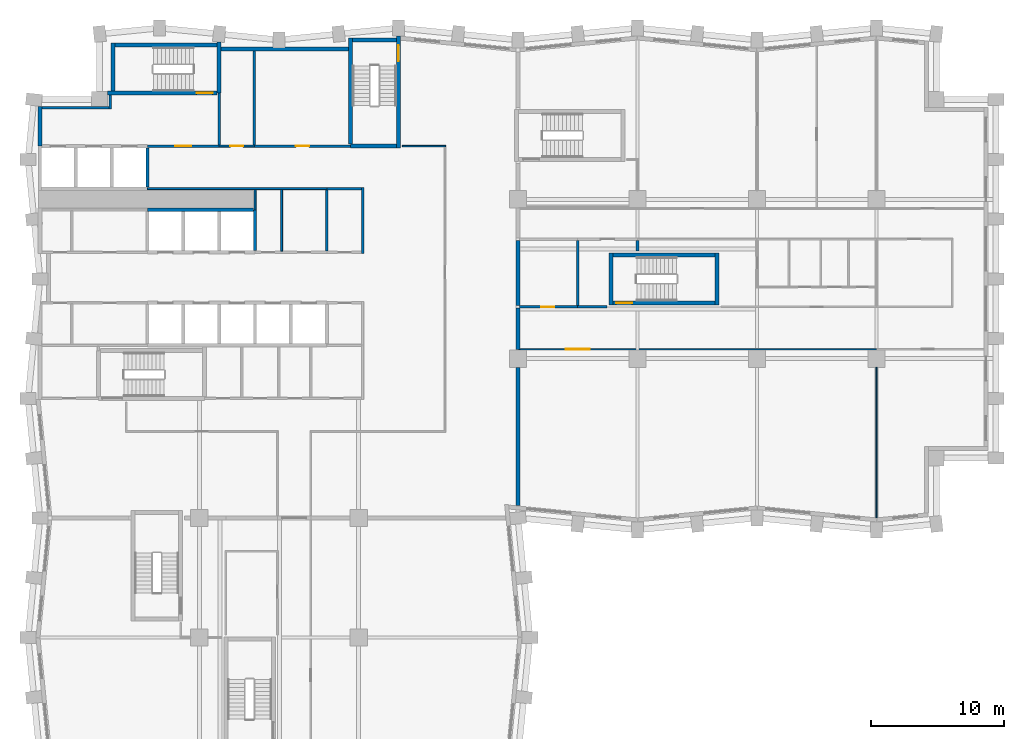
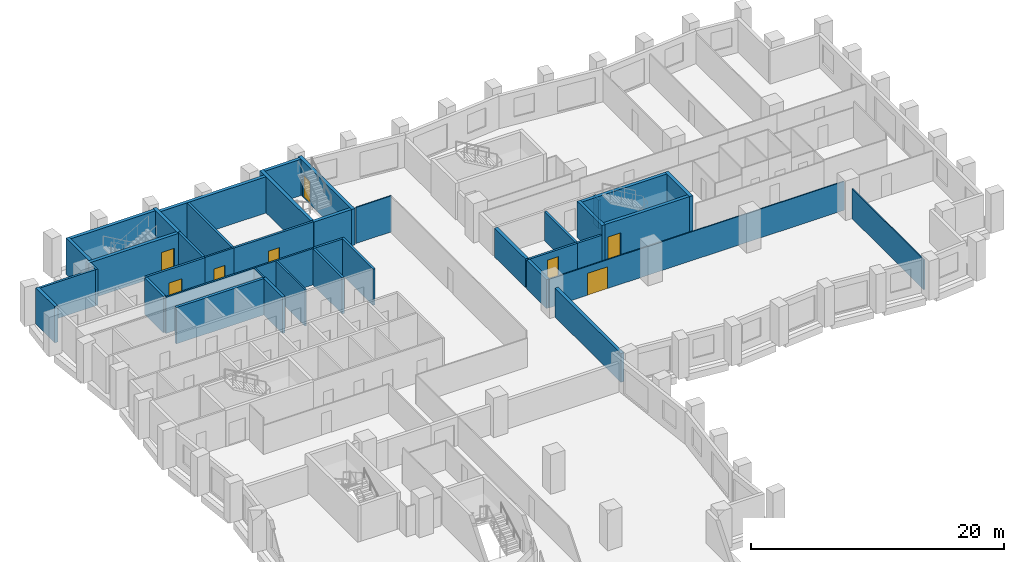
# One storey, part 6 of 11: 40 walls, 8 doors, 8 openings.
"""IFC4 building model written with IfcOpenShell, lengths in metres."""

from ifc_helpers import new_model, si_unit, direction, frame, frame_2d, origin, place, context, subcontext, project, spatial, rectangle, extrude, material, layer, layer_set, type_object, element, fill, save


model = new_model("IFC4")

# Units and contexts
model_context = context("Model", 3, precision=1e-05, world=origin(), true_north=direction((0.0, 1.0)))
body_context = subcontext(model_context, "Body", "Model", "MODEL_VIEW")
ifc_project = project(units=[si_unit("LENGTHUNIT", "METRE"), si_unit("AREAUNIT", "SQUARE_METRE"), si_unit("VOLUMEUNIT", "CUBIC_METRE"), si_unit("PLANEANGLEUNIT", "RADIAN"), si_unit("MASSUNIT", "GRAM", prefix="KILO")], contexts=[model_context])

# Site, building, storey
site_placement = place(None, origin())
site = spatial("IfcSite", under=ifc_project, at=site_placement, CompositionType="ELEMENT")
building_placement = place(site_placement, origin())
building = spatial("IfcBuilding", under=site, at=building_placement, Name="Brondeck Convention Tower", CompositionType="ELEMENT")
storey_placement = place(building_placement, frame((0.0, 0.0, 111.300048828125)))
storey = spatial("IfcBuildingStorey", under=building, at=storey_placement, Name="L26", CompositionType="ELEMENT", Elevation=111.300048828125)

# Walls
ifc_material_1 = material(Name="Concrete compartment wall C30/37", Category="concrete")
ifc_layer_1 = layer(ifc_material_1, 0.300048828125)
ifc_layer_set_1 = layer_set([ifc_layer_1], Name="Compartment wall 300")
wall_type_1 = type_object("IfcWallType", Name="Compartment wall 300", PredefinedType="PARTITIONING", material=ifc_layer_set_1)
wall_1_placement = place(storey_placement, frame((36.0, 27.924560546875, 0.0), z_axis=(0.0, 0.0, 1.0), x_axis=(0.0, 1.0, 0.0)))
element("IfcWall", 1, at=wall_1_placement, inside=storey, type_object=wall_type_1, Name="FLR-L26-W019", PredefinedType="PARTITIONING", context=body_context, shape_type="SweptSolid", body=[
    extrude(rectangle(XDim=10.42041015625, YDim=0.300048828125, at=frame_2d((5.210205078125, 0.0))), origin(), (0.0, 0.0, 1.0), 2.780029296875),
])
wall_2_placement = place(storey_placement, frame((36.0, 39.669921875, 0.0), z_axis=(0.0, 0.0, 1.0), x_axis=(0.0, 1.0, 0.0)))
element("IfcWall", 2, at=wall_2_placement, inside=storey, type_object=wall_type_1, Name="FLR-L26-W027", PredefinedType="PARTITIONING", context=body_context, shape_type="SweptSolid", body=[
    extrude(rectangle(XDim=3.130126953125, YDim=0.300048828125, at=frame_2d((1.56494140625, 0.0))), origin(), (0.0, 0.0, 1.0), 2.780029296875),
])
wall_3_placement = place(storey_placement, frame((36.0, 43.0, 0.0), z_axis=(0.0, 0.0, 1.0), x_axis=(0.0, 1.0, 0.0)))
element("IfcWall", 3, at=wall_3_placement, inside=storey, type_object=wall_type_1, Name="FLR-L26-W033", PredefinedType="PARTITIONING", context=body_context, shape_type="SweptSolid", body=[
    extrude(rectangle(XDim=4.89990234375, YDim=0.300048828125, at=frame_2d((2.449951171875, 0.0))), origin(), (0.0, 0.0, 1.0), 2.780029296875),
])
ifc_material_2 = material(Name="Concrete C70/85", Category="concrete")
ifc_layer_2 = layer(ifc_material_2, 0.199951171875)
ifc_layer_set_2 = layer_set([ifc_layer_2], Name="Core beam-seat wall 200 Concrete C70/85")
wall_type_2 = type_object("IfcWallType", Name="Core beam-seat wall 200 Concrete C70/85", PredefinedType="SHEAR", material=ifc_layer_set_2)
wall_4_placement = place(storey_placement, frame((24.300048828125, 46.89990234375, 0.0), z_axis=(0.0, 0.0, 1.0), x_axis=(0.0, 1.0, 0.0)))
element("IfcWall", 4, at=wall_4_placement, inside=storey, type_object=wall_type_2, Name="L26 core wall", PredefinedType="SHEAR", context=body_context, shape_type="SweptSolid", body=[
    extrude(rectangle(XDim=5.0, YDim=0.199951171875, at=frame_2d((2.5, 0.0))), origin(), (0.0, 0.0, 1.0), 3.5),
])
ifc_layer_3 = layer(ifc_material_2, 0.300048828125)
ifc_layer_set_3 = layer_set([ifc_layer_3], Name="Core outer wall 300 Concrete C70/85")
wall_type_3 = type_object("IfcWallType", Name="Core outer wall 300 Concrete C70/85", PredefinedType="SHEAR", material=ifc_layer_set_3)
wall_5_placement = place(storey_placement, frame((13.64990234375, 62.300048828125, 0.0), z_axis=(0.0, 0.0, 1.0), x_axis=(1.0, 0.0, 0.0)))
element("IfcWall", 5, at=wall_5_placement, inside=storey, type_object=wall_type_3, Name="L26 core wall", PredefinedType="SHEAR", context=body_context, shape_type="SweptSolid", body=[
    extrude(rectangle(XDim=9.60009765625, YDim=0.300048828125, at=frame_2d((4.800048828125, 0.0))), origin(), (0.0, 0.0, 1.0), 3.5),
])
wall_6_placement = place(storey_placement, frame((0.0, 55.0, 0.0), z_axis=(0.0, 0.0, 1.0), x_axis=(0.0, 1.0, 0.0)))
element("IfcWall", 6, at=wall_6_placement, inside=storey, type_object=wall_type_3, Name="L26 core wall", PredefinedType="SHEAR", context=body_context, shape_type="SweptSolid", body=[
    extrude(rectangle(XDim=3.0, YDim=0.300048828125, at=frame_2d((1.5, 0.0))), origin(), (0.0, 0.0, 1.0), 3.5),
])
ifc_material_3 = material(Name="Fire-rated gypsum board partition")
ifc_layer_4 = layer(ifc_material_3, 0.14990234375)
ifc_layer_set_4 = layer_set([ifc_layer_4], Name="Core partition 150 EI 60")
wall_type_4 = type_object("IfcWallType", Name="Core partition 150 EI 60", PredefinedType="PARTITIONING", material=ifc_layer_set_4)
wall_7_placement = place(storey_placement, frame((8.10009765625, 51.800048828125, 0.0), z_axis=(0.0, 0.0, 1.0), x_axis=(1.0, 0.0, 0.0)))
element("IfcWall", 7, at=wall_7_placement, inside=storey, type_object=wall_type_4, Name="L26 core wall", PredefinedType="PARTITIONING", context=body_context, shape_type="SweptSolid", body=[
    extrude(rectangle(XDim=13.5, YDim=0.14990234375, at=frame_2d((6.75, 0.0))), origin(), (0.0, 0.0, 1.0), 3.5),
])

# Wall, opening, door
wall_8_placement = place(storey_placement, frame((13.5, 55.0, 0.0), z_axis=(0.0, 0.0, 1.0), x_axis=(1.0, 0.0, 0.0)))
wall_8 = element("IfcWall", 8, at=wall_8_placement, inside=storey, type_object=wall_type_4, Name="L26 core wall", PredefinedType="PARTITIONING", context=body_context, shape_type="SweptSolid", body=[
    extrude(rectangle(XDim=2.64990234375, YDim=0.14990234375, at=frame_2d((1.324951171875, 0.0))), origin(), (0.0, 0.0, 1.0), 3.5),
])
opening_1_placement = place(wall_8_placement, frame((0.824951171875, 0.0, 0.0)))
opening_1 = element("IfcOpeningElement", 9, at=opening_1_placement, cuts=wall_8, Name="Opening C16-15", PredefinedType="OPENING", context=body_context, shape_type="SweptSolid", body=[
    extrude(rectangle(XDim=1.0, YDim=2.10009765625, at=frame_2d((0.5, 1.050048828125))), frame((0.0, 0.0849609375, 0.0), z_axis=(0.0, -1.0, 0.0), x_axis=(1.0, 0.0, 0.0)), (0.0, 0.0, 1.0), 0.169921875),
])
ifc_material_4 = material(Name="Steel fire door", Category="steel")
door_type_1 = type_object("IfcDoorType", Name="Room door 1000x2100 EI 60", OperationType="NOTDEFINED", PredefinedType="DOOR", material=ifc_material_4)
door_1_placement = place(opening_1_placement, origin())
door_1 = element("IfcDoor", 10, at=door_1_placement, inside=storey, type_object=door_type_1, Name="L26 Room door NE-1", OperationType="SINGLE_SWING_LEFT", OverallHeight=2.10009765625, OverallWidth=1.0, PredefinedType="DOOR", context=body_context, shape_type="SweptSolid", body=[
    extrude(rectangle(XDim=1.0, YDim=2.10009765625, at=frame_2d((0.5, 1.050048828125))), frame((0.0, 0.02490234375, 0.0), z_axis=(0.0, -1.0, 0.0), x_axis=(1.0, 0.0, 0.0)), (0.0, 0.0, 1.0), 0.050048828125),
])
fill(opening_1, door_1)

# Walls
wall_9_placement = place(storey_placement, frame((16.199951171875, 50.199951171875, 0.0), z_axis=(0.0, 0.0, 1.0), x_axis=(0.0, 1.0, 0.0)))
element("IfcWall", 11, at=wall_9_placement, inside=storey, type_object=wall_type_4, Name="L26 core wall", PredefinedType="PARTITIONING", context=body_context, shape_type="SweptSolid", body=[
    extrude(rectangle(XDim=1.525146484375, YDim=0.14990234375, at=frame_2d((0.7626953125, 0.0))), origin(), (0.0, 0.0, 1.0), 3.5),
])
wall_10_placement = place(storey_placement, frame((18.199951171875, 47.10009765625, 0.0), z_axis=(0.0, 0.0, 1.0), x_axis=(0.0, 1.0, 0.0)))
element("IfcWall", 12, at=wall_10_placement, inside=storey, type_object=wall_type_4, Name="L26 core wall", PredefinedType="PARTITIONING", context=body_context, shape_type="SweptSolid", body=[
    extrude(rectangle(XDim=4.625, YDim=0.14990234375, at=frame_2d((2.3125, 0.0))), origin(), (0.0, 0.0, 1.0), 3.5),
])

# Wall, opening, door
ifc_layer_5 = layer(ifc_material_3, 0.199951171875)
ifc_layer_set_5 = layer_set([ifc_layer_5], Name="Firefighting lobby wall 200 EI 120")
wall_type_5 = type_object("IfcWallType", Name="Firefighting lobby wall 200 EI 120", PredefinedType="PARTITIONING", material=ifc_layer_set_5)
wall_11_placement = place(storey_placement, frame((8.10009765625, 55.0, 0.0), z_axis=(0.0, 0.0, 1.0), x_axis=(1.0, 0.0, 0.0)))
wall_11 = element("IfcWall", 13, at=wall_11_placement, inside=storey, type_object=wall_type_5, Name="L26 core wall", PredefinedType="PARTITIONING", context=body_context, shape_type="SweptSolid", body=[
    extrude(rectangle(XDim=5.39990234375, YDim=0.199951171875, at=frame_2d((2.699951171875, 0.0))), origin(), (0.0, 0.0, 1.0), 3.5),
])
opening_2_placement = place(wall_11_placement, frame((2.10009765625, 0.0, 0.0)))
opening_2 = element("IfcOpeningElement", 14, at=opening_2_placement, cuts=wall_11, Name="Opening C16-01", PredefinedType="OPENING", context=body_context, shape_type="SweptSolid", body=[
    extrude(rectangle(XDim=1.199951171875, YDim=2.199951171875, at=frame_2d((0.60009765625, 1.10009765625))), frame((0.0, 0.10986328125, 0.0), z_axis=(0.0, -1.0, 0.0), x_axis=(1.0, 0.0, 0.0)), (0.0, 0.0, 1.0), 0.219970703125),
])
door_type_2 = type_object("IfcDoorType", Name="Firefighting lobby door 1200x2200 EI 120", OperationType="NOTDEFINED", PredefinedType="DOOR", material=ifc_material_4)
door_2_placement = place(opening_2_placement, origin())
door_2 = element("IfcDoor", 15, at=door_2_placement, inside=storey, type_object=door_type_2, Name="L26 Firefighting lobby door FFL-1", OperationType="SINGLE_SWING_RIGHT", OverallHeight=2.199951171875, OverallWidth=1.199951171875, PredefinedType="DOOR", context=body_context, shape_type="SweptSolid", body=[
    extrude(rectangle(XDim=1.199951171875, YDim=2.199951171875, at=frame_2d((0.60009765625, 1.10009765625))), frame((0.0, 0.02490234375, 0.0), z_axis=(0.0, -1.0, 0.0), x_axis=(1.0, 0.0, 0.0)), (0.0, 0.0, 1.0), 0.050048828125),
])
fill(opening_2, door_2)

# Walls
wall_12_placement = place(storey_placement, frame((0.14990234375, 57.89990234375, 0.0), z_axis=(0.0, 0.0, 1.0), x_axis=(1.0, 0.0, 0.0)))
element("IfcWall", 16, at=wall_12_placement, inside=storey, type_object=wall_type_5, Name="L26 core wall", PredefinedType="PARTITIONING", context=body_context, shape_type="SweptSolid", body=[
    extrude(rectangle(XDim=5.050048828125, YDim=0.199951171875, at=frame_2d((2.52490234375, 0.0))), origin(), (0.0, 0.0, 1.0), 3.5),
])
wall_13_placement = place(storey_placement, frame((5.300048828125, 57.800048828125, 0.0), z_axis=(0.0, 0.0, 1.0), x_axis=(0.0, 1.0, 0.0)))
element("IfcWall", 17, at=wall_13_placement, inside=storey, type_object=wall_type_5, Name="L26 core wall", PredefinedType="PARTITIONING", context=body_context, shape_type="SweptSolid", body=[
    extrude(rectangle(XDim=1.050048828125, YDim=0.199951171875, at=frame_2d((0.52490234375, 0.0))), origin(), (0.0, 0.0, 1.0), 3.5),
])
wall_14_placement = place(storey_placement, frame((13.5, 55.10009765625, 0.0), z_axis=(0.0, 0.0, 1.0), x_axis=(0.0, 1.0, 0.0)))
element("IfcWall", 18, at=wall_14_placement, inside=storey, type_object=wall_type_5, Name="L26 core wall", PredefinedType="PARTITIONING", context=body_context, shape_type="SweptSolid", body=[
    extrude(rectangle(XDim=3.89990234375, YDim=0.199951171875, at=frame_2d((1.949951171875, 0.0))), origin(), (0.0, 0.0, 1.0), 3.5),
])
ifc_layer_6 = layer(ifc_material_2, 0.25)
ifc_layer_set_6 = layer_set([ifc_layer_6], Name="Lift shaft wall 250 Concrete C70/85")
wall_type_6 = type_object("IfcWallType", Name="Lift shaft wall 250 Concrete C70/85", PredefinedType="SHEAR", material=ifc_layer_set_6)
wall_15_placement = place(storey_placement, frame((8.10009765625, 50.199951171875, 0.0), z_axis=(0.0, 0.0, 1.0), x_axis=(1.0, 0.0, 0.0)))
element("IfcWall", 19, at=wall_15_placement, inside=storey, type_object=wall_type_6, Name="L26 core wall", PredefinedType="SHEAR", context=body_context, shape_type="SweptSolid", body=[
    extrude(rectangle(XDim=7.974853515625, YDim=0.25, at=frame_2d((3.9873046875, 0.0))), origin(), (0.0, 0.0, 1.0), 3.5),
])
wall_16_placement = place(storey_placement, frame((8.10009765625, 51.925048828125, 0.0), z_axis=(0.0, 0.0, 1.0), x_axis=(0.0, 1.0, 0.0)))
element("IfcWall", 20, at=wall_16_placement, inside=storey, type_object=wall_type_6, Name="L26 core wall", PredefinedType="SHEAR", context=body_context, shape_type="SweptSolid", body=[
    extrude(rectangle(XDim=2.949951171875, YDim=0.25, at=frame_2d((1.47509765625, 0.0))), origin(), (0.0, 0.0, 1.0), 3.5),
])
wall_17_placement = place(storey_placement, frame((16.199951171875, 47.125, 0.0), z_axis=(0.0, 0.0, 1.0), x_axis=(0.0, 1.0, 0.0)))
element("IfcWall", 21, at=wall_17_placement, inside=storey, type_object=wall_type_6, Name="L26 core wall", PredefinedType="SHEAR", context=body_context, shape_type="SweptSolid", body=[
    extrude(rectangle(XDim=3.074951171875, YDim=0.25, at=frame_2d((1.53759765625, 0.0))), origin(), (0.0, 0.0, 1.0), 3.5),
])

# Wall, opening, door
ifc_material_5 = material(Name="Concrete block wall C16/20", Category="concrete")
ifc_layer_7 = layer(ifc_material_5, 0.199951171875)
ifc_layer_set_7 = layer_set([ifc_layer_7], Name="Plant room wall 200")
wall_type_7 = type_object("IfcWallType", Name="Plant room wall 200", PredefinedType="PARTITIONING", material=ifc_layer_set_7)
wall_18_placement = place(storey_placement, frame((36.10009765625, 42.89990234375, 0.0), z_axis=(0.0, 0.0, 1.0), x_axis=(1.0, 0.0, 0.0)))
wall_18 = element("IfcWall", 22, at=wall_18_placement, inside=storey, type_object=wall_type_7, Name="FLR-L26-W028", PredefinedType="PARTITIONING", context=body_context, shape_type="SweptSolid", body=[
    extrude(rectangle(XDim=4.39990234375, YDim=0.199951171875, at=frame_2d((2.199951171875, 0.0))), origin(), (0.0, 0.0, 1.0), 2.780029296875),
])
opening_3_placement = place(wall_18_placement, frame((1.64990234375, 0.0, 0.0)))
opening_3 = element("IfcOpeningElement", 23, at=opening_3_placement, cuts=wall_18, Name="Opening OF-C-002", PredefinedType="OPENING", context=body_context, shape_type="SweptSolid", body=[
    extrude(rectangle(XDim=1.0, YDim=2.10009765625, at=frame_2d((0.5, 1.050048828125))), frame((0.0, 0.10986328125, 0.0), z_axis=(0.0, -1.0, 0.0), x_axis=(1.0, 0.0, 0.0)), (0.0, 0.0, 1.0), 0.219970703125),
])
ifc_material_6 = material(Name="Steel fire door leaf", Category="steel")
door_type_3 = type_object("IfcDoorType", Name="Plant room door 1000", OperationType="NOTDEFINED", PredefinedType="DOOR", material=ifc_material_6)
door_3_placement = place(opening_3_placement, origin())
door_3 = element("IfcDoor", 24, at=door_3_placement, inside=storey, type_object=door_type_3, Name="Door OF-C-002", OperationType="SINGLE_SWING_RIGHT", OverallHeight=2.10009765625, OverallWidth=1.0, PredefinedType="DOOR", context=body_context, shape_type="SweptSolid", body=[
    extrude(rectangle(XDim=1.0, YDim=2.10009765625, at=frame_2d((0.5, 1.050048828125))), frame((0.0, 0.02490234375, 0.0), z_axis=(0.0, -1.0, 0.0), x_axis=(1.0, 0.0, 0.0)), (0.0, 0.0, 1.0), 0.050048828125),
])
fill(opening_3, door_3)

# Walls
wall_19_placement = place(storey_placement, frame((40.5, 42.89990234375, 0.0), z_axis=(0.0, 0.0, 1.0), x_axis=(1.0, 0.0, 0.0)))
element("IfcWall", 25, at=wall_19_placement, inside=storey, type_object=wall_type_7, Name="FLR-L26-W029", PredefinedType="PARTITIONING", context=body_context, shape_type="SweptSolid", body=[
    extrude(rectangle(XDim=2.199951171875, YDim=0.199951171875, at=frame_2d((1.10009765625, 0.0))), origin(), (0.0, 0.0, 1.0), 2.780029296875),
])
wall_20_placement = place(storey_placement, frame((40.5, 47.89990234375, 0.0), z_axis=(0.0, 0.0, 1.0), x_axis=(0.0, -1.0, 0.0)))
element("IfcWall", 26, at=wall_20_placement, inside=storey, type_object=wall_type_7, Name="FLR-L26-W039", PredefinedType="PARTITIONING", context=body_context, shape_type="SweptSolid", body=[
    extrude(rectangle(XDim=4.89990234375, YDim=0.199951171875, at=frame_2d((2.449951171875, 0.0))), origin(), (0.0, 0.0, 1.0), 2.780029296875),
])
wall_21_placement = place(storey_placement, frame((45.0, 47.89990234375, 0.0), z_axis=(0.0, 0.0, 1.0), x_axis=(0.0, -1.0, 0.0)))
element("IfcWall", 27, at=wall_21_placement, inside=storey, type_object=wall_type_7, Name="FLR-L26-W040", PredefinedType="PARTITIONING", context=body_context, shape_type="SweptSolid", body=[
    extrude(rectangle(XDim=0.7998046875, YDim=0.199951171875, at=frame_2d((0.39990234375, 0.0))), origin(), (0.0, 0.0, 1.0), 2.780029296875),
])
ifc_layer_8 = layer(ifc_material_3, 0.199951171875)
ifc_layer_set_8 = layer_set([ifc_layer_8], Name="Riser wall 200 EI 120")
wall_type_8 = type_object("IfcWallType", Name="Riser wall 200 EI 120", PredefinedType="PARTITIONING", material=ifc_layer_set_8)
wall_22_placement = place(storey_placement, frame((21.60009765625, 51.800048828125, 0.0), z_axis=(0.0, 0.0, 1.0), x_axis=(1.0, 0.0, 0.0)))
element("IfcWall", 28, at=wall_22_placement, inside=storey, type_object=wall_type_8, Name="L26 core wall", PredefinedType="PARTITIONING", context=body_context, shape_type="SweptSolid", body=[
    extrude(rectangle(XDim=2.599853515625, YDim=0.199951171875, at=frame_2d((1.2998046875, 0.0))), origin(), (0.0, 0.0, 1.0), 3.5),
])

# Wall, opening, door
wall_23_placement = place(storey_placement, frame((16.14990234375, 55.0, 0.0), z_axis=(0.0, 0.0, 1.0), x_axis=(1.0, 0.0, 0.0)))
wall_23 = element("IfcWall", 29, at=wall_23_placement, inside=storey, type_object=wall_type_8, Name="L26 core wall", PredefinedType="PARTITIONING", context=body_context, shape_type="SweptSolid", body=[
    extrude(rectangle(XDim=7.25, YDim=0.199951171875, at=frame_2d((3.625, 0.0))), origin(), (0.0, 0.0, 1.0), 3.5),
])
opening_4_placement = place(wall_23_placement, frame((3.125, 0.0, 0.0)))
opening_4 = element("IfcOpeningElement", 30, at=opening_4_placement, cuts=wall_23, Name="Opening C16-16", PredefinedType="OPENING", context=body_context, shape_type="SweptSolid", body=[
    extrude(rectangle(XDim=1.0, YDim=2.10009765625, at=frame_2d((0.5, 1.050048828125))), frame((0.0, 0.10986328125, 0.0), z_axis=(0.0, -1.0, 0.0), x_axis=(1.0, 0.0, 0.0)), (0.0, 0.0, 1.0), 0.219970703125),
])
door_type_4 = type_object("IfcDoorType", Name="Riser door 1000x2100 EI 120", OperationType="NOTDEFINED", PredefinedType="DOOR", material=ifc_material_4)
door_4_placement = place(opening_4_placement, origin())
door_4 = element("IfcDoor", 31, at=door_4_placement, inside=storey, type_object=door_type_4, Name="L26 Riser door NE-2", OperationType="SINGLE_SWING_RIGHT", OverallHeight=2.10009765625, OverallWidth=1.0, PredefinedType="DOOR", context=body_context, shape_type="SweptSolid", body=[
    extrude(rectangle(XDim=1.0, YDim=2.10009765625, at=frame_2d((0.5, 1.050048828125))), frame((0.0, 0.02490234375, 0.0), z_axis=(0.0, -1.0, 0.0), x_axis=(1.0, 0.0, 0.0)), (0.0, 0.0, 1.0), 0.050048828125),
])
fill(opening_4, door_4)

# Walls
wall_24_placement = place(storey_placement, frame((16.14990234375, 55.10009765625, 0.0), z_axis=(0.0, 0.0, 1.0), x_axis=(0.0, 1.0, 0.0)))
element("IfcWall", 32, at=wall_24_placement, inside=storey, type_object=wall_type_8, Name="L26 core wall", PredefinedType="PARTITIONING", context=body_context, shape_type="SweptSolid", body=[
    extrude(rectangle(XDim=7.0498046875, YDim=0.199951171875, at=frame_2d((3.52490234375, 0.0))), origin(), (0.0, 0.0, 1.0), 3.5),
])
wall_25_placement = place(storey_placement, frame((21.60009765625, 47.10009765625, 0.0), z_axis=(0.0, 0.0, 1.0), x_axis=(0.0, 1.0, 0.0)))
element("IfcWall", 33, at=wall_25_placement, inside=storey, type_object=wall_type_8, Name="L26 core wall", PredefinedType="PARTITIONING", context=body_context, shape_type="SweptSolid", body=[
    extrude(rectangle(XDim=4.599853515625, YDim=0.199951171875, at=frame_2d((2.2998046875, 0.0))), origin(), (0.0, 0.0, 1.0), 3.5),
])
ifc_material_7 = material(Name="Gypsum board partition on steel studs", Category="steel")
ifc_layer_9 = layer(ifc_material_7, 0.10009765625)
ifc_layer_set_9 = layer_set([ifc_layer_9], Name="Room partition 100")
wall_type_9 = type_object("IfcWallType", Name="Room partition 100", PredefinedType="PARTITIONING", material=ifc_layer_set_9)
wall_26_placement = place(storey_placement, frame((63.0, 38.344970703125, 0.0), z_axis=(0.0, 0.0, 1.0), x_axis=(0.0, -1.0, 0.0)))
element("IfcWall", 34, at=wall_26_placement, inside=storey, type_object=wall_type_9, Name="FLR-L26-W024", PredefinedType="PARTITIONING", context=body_context, shape_type="SweptSolid", body=[
    extrude(rectangle(XDim=11.320556640625, YDim=0.10009765625, at=frame_2d((5.66015625, 0.0))), origin(), (0.0, 0.0, 1.0), 2.8798828125),
])

# Wall, opening, door
wall_27_placement = place(storey_placement, frame((63.0, 39.699951171875, 0.0), z_axis=(0.0, 0.0, 1.0), x_axis=(-1.0, 0.0, 0.0)))
wall_27 = element("IfcWall", 35, at=wall_27_placement, inside=storey, type_object=wall_type_9, Name="FLR-L26-W025", PredefinedType="PARTITIONING", context=body_context, shape_type="SweptSolid", body=[
    extrude(rectangle(XDim=26.949951171875, YDim=0.10009765625, at=frame_2d((13.47509765625, 0.0))), origin(), (0.0, 0.0, 1.0), 2.780029296875),
])
opening_5_placement = place(wall_27_placement, frame((21.60009765625, 0.0, 0.0)))
opening_5 = element("IfcOpeningElement", 36, at=opening_5_placement, cuts=wall_27, Name="Opening OF-C-010", PredefinedType="OPENING", context=body_context, shape_type="SweptSolid", body=[
    extrude(rectangle(XDim=1.800048828125, YDim=2.10009765625, at=frame_2d((0.89990234375, 1.050048828125))), frame((0.0, 0.06005859375, 0.0), z_axis=(0.0, -1.0, 0.0), x_axis=(1.0, 0.0, 0.0)), (0.0, 0.0, 1.0), 0.1201171875),
])
ifc_material_8 = material(Name="Glazed timber double door", Category="wood")
door_type_5 = type_object("IfcDoorType", Name="Double door 1800", OperationType="DOUBLE_DOOR_SINGLE_SWING", PredefinedType="DOOR", material=ifc_material_8)
door_5_placement = place(opening_5_placement, origin())
door_5 = element("IfcDoor", 37, at=door_5_placement, inside=storey, type_object=door_type_5, Name="Door OF-C-010", OperationType="DOUBLE_DOOR_SINGLE_SWING", OverallHeight=2.10009765625, OverallWidth=1.800048828125, PredefinedType="DOOR", context=body_context, shape_type="SweptSolid", body=[
    extrude(rectangle(XDim=1.800048828125, YDim=2.10009765625, at=frame_2d((0.89990234375, 1.050048828125))), frame((0.0, 0.02490234375, 0.0), z_axis=(0.0, -1.0, 0.0), x_axis=(1.0, 0.0, 0.0)), (0.0, 0.0, 1.0), 0.050048828125),
])
fill(opening_5, door_5)

# Wall
wall_28_placement = place(storey_placement, frame((27.300048828125, 55.0, 0.0), z_axis=(0.0, 0.0, 1.0), x_axis=(1.0, 0.0, 0.0)))
element("IfcWall", 38, at=wall_28_placement, inside=storey, type_object=wall_type_9, Name="FLR-L26-W065", PredefinedType="PARTITIONING", context=body_context, shape_type="SweptSolid", body=[
    extrude(rectangle(XDim=3.25, YDim=0.10009765625, at=frame_2d((1.625, 0.0))), origin(), (0.0, 0.0, 1.0), 3.47998046875),
])

# Wall, opening, door
ifc_layer_10 = layer(ifc_material_2, 0.300048828125)
ifc_layer_set_10 = layer_set([ifc_layer_10], Name="Stair enclosure wall 300 Concrete C70/85")
wall_type_10 = type_object("IfcWallType", Name="Stair enclosure wall 300 Concrete C70/85", PredefinedType="SHEAR", material=ifc_layer_set_10)
wall_29_placement = place(storey_placement, frame((43.14990234375, 43.199951171875, 0.0), z_axis=(0.0, 0.0, 1.0), x_axis=(1.0, 0.0, 0.0)))
wall_29 = element("IfcWall", 39, at=wall_29_placement, inside=storey, type_object=wall_type_10, Name="L26 core wall", PredefinedType="SHEAR", context=body_context, shape_type="SweptSolid", body=[
    extrude(rectangle(XDim=7.7001953125, YDim=0.300048828125, at=frame_2d((3.85009765625, 0.0))), origin(), (0.0, 0.0, 1.0), 3.5),
])
opening_6_placement = place(wall_29_placement, frame((0.25, 0.0, 0.0)))
opening_6 = element("IfcOpeningElement", 40, at=opening_6_placement, cuts=wall_29, Name="Opening C16-21", PredefinedType="OPENING", context=body_context, shape_type="SweptSolid", body=[
    extrude(rectangle(XDim=1.199951171875, YDim=2.199951171875, at=frame_2d((0.60009765625, 1.10009765625))), frame((0.0, 0.159912109375, 0.0), z_axis=(0.0, -1.0, 0.0), x_axis=(1.0, 0.0, 0.0)), (0.0, 0.0, 1.0), 0.320068359375),
])
door_type_6 = type_object("IfcDoorType", Name="Stair door 1200x2200 EI 90", OperationType="NOTDEFINED", PredefinedType="DOOR", material=ifc_material_4)
door_6_placement = place(opening_6_placement, origin())
door_6 = element("IfcDoor", 41, at=door_6_placement, inside=storey, type_object=door_type_6, Name="L26 Stair door ST-AF", OperationType="SINGLE_SWING_RIGHT", OverallHeight=2.199951171875, OverallWidth=1.199951171875, PredefinedType="DOOR", context=body_context, shape_type="SweptSolid", body=[
    extrude(rectangle(XDim=1.199951171875, YDim=2.199951171875, at=frame_2d((0.60009765625, 1.10009765625))), frame((0.0, 0.02490234375, 0.0), z_axis=(0.0, -1.0, 0.0), x_axis=(1.0, 0.0, 0.0)), (0.0, 0.0, 1.0), 0.050048828125),
])
fill(opening_6, door_6)

# Walls
wall_30_placement = place(storey_placement, frame((43.14990234375, 46.800048828125, 0.0), z_axis=(0.0, 0.0, 1.0), x_axis=(1.0, 0.0, 0.0)))
element("IfcWall", 42, at=wall_30_placement, inside=storey, type_object=wall_type_10, Name="L26 core wall", PredefinedType="SHEAR", context=body_context, shape_type="SweptSolid", body=[
    extrude(rectangle(XDim=7.7001953125, YDim=0.300048828125, at=frame_2d((3.85009765625, 0.0))), origin(), (0.0, 0.0, 1.0), 3.5),
])
wall_31_placement = place(storey_placement, frame((23.39990234375, 55.0, 0.0), z_axis=(0.0, 0.0, 1.0), x_axis=(1.0, 0.0, 0.0)))
element("IfcWall", 43, at=wall_31_placement, inside=storey, type_object=wall_type_10, Name="L26 core wall", PredefinedType="SHEAR", context=body_context, shape_type="SweptSolid", body=[
    extrude(rectangle(XDim=3.4501953125, YDim=0.300048828125, at=frame_2d((1.72509765625, 0.0))), origin(), (0.0, 0.0, 1.0), 3.5),
])

# Wall, opening, door
wall_32_placement = place(storey_placement, frame((5.10009765625, 59.0, 0.0), z_axis=(0.0, 0.0, 1.0), x_axis=(1.0, 0.0, 0.0)))
wall_32 = element("IfcWall", 44, at=wall_32_placement, inside=storey, type_object=wall_type_10, Name="L26 core wall", PredefinedType="SHEAR", context=body_context, shape_type="SweptSolid", body=[
    extrude(rectangle(XDim=8.25, YDim=0.300048828125, at=frame_2d((4.125, 0.0))), origin(), (0.0, 0.0, 1.0), 3.5),
])
opening_7_placement = place(wall_32_placement, frame((6.699951171875, 0.0, 0.0)))
opening_7 = element("IfcOpeningElement", 45, at=opening_7_placement, cuts=wall_32, Name="Opening C16-19", PredefinedType="OPENING", context=body_context, shape_type="SweptSolid", body=[
    extrude(rectangle(XDim=1.199951171875, YDim=2.199951171875, at=frame_2d((0.60009765625, 1.10009765625))), frame((0.0, 0.159912109375, 0.0), z_axis=(0.0, -1.0, 0.0), x_axis=(1.0, 0.0, 0.0)), (0.0, 0.0, 1.0), 0.320068359375),
])
door_type_7 = type_object("IfcDoorType", Name="Stair door 1200x2200 EI 120", OperationType="NOTDEFINED", PredefinedType="DOOR", material=ifc_material_4)
door_7_placement = place(opening_7_placement, origin())
door_7 = element("IfcDoor", 46, at=door_7_placement, inside=storey, type_object=door_type_7, Name="L26 Stair door ST-3", OperationType="SINGLE_SWING_RIGHT", OverallHeight=2.199951171875, OverallWidth=1.199951171875, PredefinedType="DOOR", context=body_context, shape_type="SweptSolid", body=[
    extrude(rectangle(XDim=1.199951171875, YDim=2.199951171875, at=frame_2d((0.60009765625, 1.10009765625))), frame((0.0, 0.02490234375, 0.0), z_axis=(0.0, -1.0, 0.0), x_axis=(1.0, 0.0, 0.0)), (0.0, 0.0, 1.0), 0.050048828125),
])
fill(opening_7, door_7)

# Walls
wall_33_placement = place(storey_placement, frame((5.64990234375, 62.60009765625, 0.0), z_axis=(0.0, 0.0, 1.0), x_axis=(1.0, 0.0, 0.0)))
element("IfcWall", 47, at=wall_33_placement, inside=storey, type_object=wall_type_10, Name="L26 core wall", PredefinedType="SHEAR", context=body_context, shape_type="SweptSolid", body=[
    extrude(rectangle(XDim=7.7001953125, YDim=0.300048828125, at=frame_2d((3.85009765625, 0.0))), origin(), (0.0, 0.0, 1.0), 3.5),
])
wall_34_placement = place(storey_placement, frame((23.550048828125, 63.0, 0.0), z_axis=(0.0, 0.0, 1.0), x_axis=(1.0, 0.0, 0.0)))
element("IfcWall", 48, at=wall_34_placement, inside=storey, type_object=wall_type_10, Name="L26 core wall", PredefinedType="SHEAR", context=body_context, shape_type="SweptSolid", body=[
    extrude(rectangle(XDim=3.300048828125, YDim=0.300048828125, at=frame_2d((1.64990234375, 0.0))), origin(), (0.0, 0.0, 1.0), 3.5),
])
wall_35_placement = place(storey_placement, frame((5.5, 59.14990234375, 0.0), z_axis=(0.0, 0.0, 1.0), x_axis=(0.0, 1.0, 0.0)))
element("IfcWall", 49, at=wall_35_placement, inside=storey, type_object=wall_type_10, Name="L26 core wall", PredefinedType="SHEAR", context=body_context, shape_type="SweptSolid", body=[
    extrude(rectangle(XDim=3.60009765625, YDim=0.300048828125, at=frame_2d((1.800048828125, 0.0))), origin(), (0.0, 0.0, 1.0), 3.5),
])
wall_36_placement = place(storey_placement, frame((13.5, 59.0, 0.0), z_axis=(0.0, 0.0, 1.0), x_axis=(0.0, 1.0, 0.0)))
element("IfcWall", 50, at=wall_36_placement, inside=storey, type_object=wall_type_10, Name="L26 core wall", PredefinedType="SHEAR", context=body_context, shape_type="SweptSolid", body=[
    extrude(rectangle(XDim=3.846923828125, YDim=0.300048828125, at=frame_2d((1.92333984375, 0.0))), origin(), (0.0, 0.0, 1.0), 3.5),
])
wall_37_placement = place(storey_placement, frame((23.39990234375, 55.14990234375, 0.0), z_axis=(0.0, 0.0, 1.0), x_axis=(0.0, 1.0, 0.0)))
element("IfcWall", 51, at=wall_37_placement, inside=storey, type_object=wall_type_10, Name="L26 core wall", PredefinedType="SHEAR", context=body_context, shape_type="SweptSolid", body=[
    extrude(rectangle(XDim=8.0, YDim=0.300048828125, at=frame_2d((4.0, 0.0))), origin(), (0.0, 0.0, 1.0), 3.5),
])

# Wall, opening, door
wall_38_placement = place(storey_placement, frame((27.0, 54.85009765625, 0.0), z_axis=(0.0, 0.0, 1.0), x_axis=(0.0, 1.0, 0.0)))
wall_38 = element("IfcWall", 52, at=wall_38_placement, inside=storey, type_object=wall_type_10, Name="L26 core wall", PredefinedType="SHEAR", context=body_context, shape_type="SweptSolid", body=[
    extrude(rectangle(XDim=8.449951171875, YDim=0.300048828125, at=frame_2d((4.22509765625, 0.0))), origin(), (0.0, 0.0, 1.0), 3.5),
])
opening_8_placement = place(wall_38_placement, frame((6.550048828125, 0.0, 0.0)))
opening_8 = element("IfcOpeningElement", 53, at=opening_8_placement, cuts=wall_38, Name="Opening C16-18", PredefinedType="OPENING", context=body_context, shape_type="SweptSolid", body=[
    extrude(rectangle(XDim=1.199951171875, YDim=2.199951171875, at=frame_2d((0.60009765625, 1.10009765625))), frame((0.0, 0.159912109375, 0.0), z_axis=(0.0, -1.0, 0.0), x_axis=(1.0, 0.0, 0.0)), (0.0, 0.0, 1.0), 0.320068359375),
])
door_8_placement = place(opening_8_placement, origin())
door_8 = element("IfcDoor", 54, at=door_8_placement, inside=storey, type_object=door_type_6, Name="L26 Stair door ST-2", OperationType="SINGLE_SWING_LEFT", OverallHeight=2.199951171875, OverallWidth=1.199951171875, PredefinedType="DOOR", context=body_context, shape_type="SweptSolid", body=[
    extrude(rectangle(XDim=1.199951171875, YDim=2.199951171875, at=frame_2d((0.60009765625, 1.10009765625))), frame((0.0, 0.02490234375, 0.0), z_axis=(0.0, -1.0, 0.0), x_axis=(1.0, 0.0, 0.0)), (0.0, 0.0, 1.0), 0.050048828125),
])
fill(opening_8, door_8)

# Walls
for number, where, z_axis, x_axis, name in (
    (55, (43.0, 43.050048828125, 0.0), (0.0, 0.0, 1.0), (0.0, 1.0, 0.0), "L26 core wall"),
    (56, (51.0, 43.050048828125, 0.0), (0.0, 0.0, 1.0), (0.0, 1.0, 0.0), "L26 core wall"),
):
    element("IfcWall", number, at=place(storey_placement, frame(where, z_axis=z_axis, x_axis=x_axis)), inside=storey, type_object=wall_type_10, Name=name, PredefinedType="SHEAR", context=body_context, shape_type="SweptSolid", body=[
        extrude(rectangle(XDim=3.89990234375, YDim=0.300048828125, at=frame_2d((1.949951171875, 0.0))), origin(), (0.0, 0.0, 1.0), 3.5),
    ])

save(model, "model.ifc")
